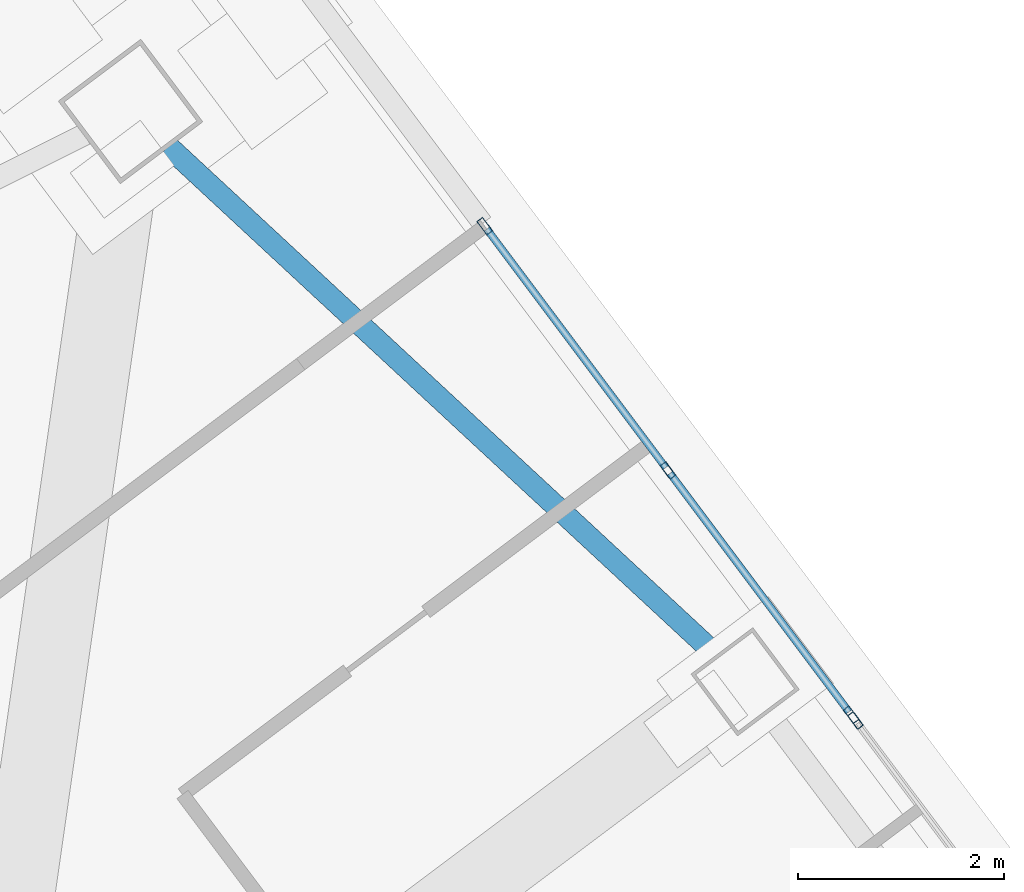
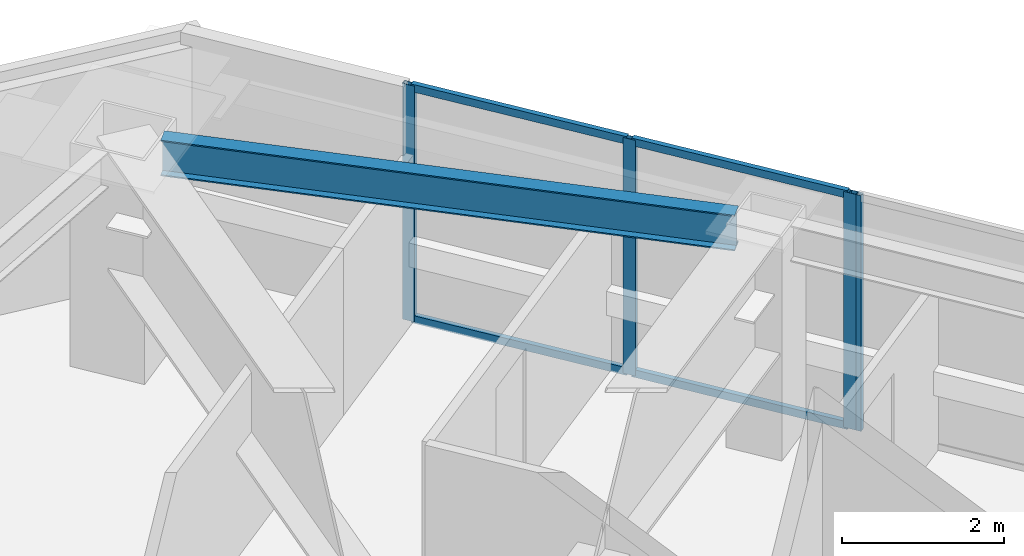
# One storey, part 27 of 40: 8 members, 1 beam, 2 elements without a shape of their own.
"""IFC4 building model written with IfcOpenShell, lengths in metres."""

from ifc_helpers import new_model, si_unit, direction, frame, origin, origin_2d, place, context, subcontext, project, spatial, hollow_rectangle, i_section, extrude, material, material_profile, profile_set, type_object, element, aggregate, save


model = new_model("IFC4")

# Units and contexts
model_context = context("Model", 3, precision=1e-05, world=origin(), true_north=direction((0.0, 1.0)))
body_context = subcontext(model_context, "Body", "Model", "MODEL_VIEW")
ifc_project = project(units=[si_unit("LENGTHUNIT", "METRE"), si_unit("AREAUNIT", "SQUARE_METRE"), si_unit("VOLUMEUNIT", "CUBIC_METRE"), si_unit("PLANEANGLEUNIT", "RADIAN"), si_unit("MASSUNIT", "GRAM", prefix="KILO")], contexts=[model_context])

# Site, building, storey
site_placement = place(None, origin())
site = spatial("IfcSite", under=ifc_project, at=site_placement, CompositionType="ELEMENT")
building_placement = place(site_placement, origin())
building = spatial("IfcBuilding", under=site, at=building_placement, Name="Tashvorn Skyway Center", CompositionType="ELEMENT")
storey_placement = place(building_placement, frame((0.0, 0.0, 229.050048828125)))
storey = spatial("IfcBuildingStorey", under=building, at=storey_placement, Name="L62", CompositionType="ELEMENT", Elevation=229.050048828125)

# Beam
ifc_material_1 = material(Name="Steel ASTM A992 Grade 50", Category="steel")
ifc_material_profile_1 = material_profile(ifc_material_1, i_section(OverallWidth=0.2109375, OverallDepth=0.5390625, WebThickness=0.01171875, FlangeThickness=0.018798828125, at=origin_2d()), Name="W21X73")
ifc_profile_set_1 = profile_set([ifc_material_profile_1], Name="Steel ASTM A992 Grade 50")
beam_type = type_object("IfcBeamType", Name="BM-SPANDREL-W21X73", PredefinedType="SPANDREL", material=ifc_profile_set_1)
beam_placement = place(storey_placement, frame((122.36865234375, 45.481689453125, 3.100341796875), z_axis=(-0.733042389989, 0.680182956622, 0.0), x_axis=(-0.680182956622, -0.733042389989, 0.0)))
element("IfcBeam", 1, at=beam_placement, inside=storey, type_object=beam_type, Name="Tower 2 L62 Spandrel Beam 06", PredefinedType="SPANDREL", context=body_context, shape_type="SweptSolid", body=[
    extrude(i_section(OverallWidth=0.2109375, OverallDepth=0.5390625, WebThickness=0.01171875, FlangeThickness=0.018798828125, at=origin_2d()), origin(), (0.0, 0.0, 1.0), 7.26513671875),
])

# Curtain wall, members
ifc_material_2 = material(Name="Thermally broken bronze-anodized aluminium 6063-T6", Category="aluminium")
curtain_wall_type = type_object("IfcCurtainWallType", Name="CW-CW-Z5", PredefinedType="NOTDEFINED", material=ifc_material_2)
curtain_wall_1_placement = place(storey_placement, origin())
curtain_wall_1 = element("IfcCurtainWall", 2, at=curtain_wall_1_placement, inside=storey, type_object=curtain_wall_type, Name="Tower 2 L62 East Unitised Curtain Wall Glazing Group 1", PredefinedType="NOTDEFINED")
ifc_material_profile_2 = material_profile(ifc_material_2, hollow_rectangle(XDim=0.070068359375, YDim=0.1650390625, WallThickness=0.00390625, at=origin_2d()), Name="ALU-MULL-70x165")
ifc_profile_set_2 = profile_set([ifc_material_profile_2], Name="Thermally broken bronze-anodized aluminium 6063-T6")
member_type_1 = type_object("IfcMemberType", Name="CWM-CW-Z5", PredefinedType="MULLION", material=ifc_profile_set_2)
member_1_placement = place(storey_placement, frame((120.1142578125, 49.647705078125, 0.0), z_axis=(0.0, 0.0, 1.0), x_axis=(0.79999799704, 0.600002670604, 0.0)))
member_1 = element("IfcMember", 3, at=member_1_placement, type_object=member_type_1, Name="CW-Z5 mullion 1", PredefinedType="MULLION", context=body_context, shape_type="SweptSolid", body=[
    extrude(hollow_rectangle(XDim=0.070068359375, YDim=0.1650390625, WallThickness=0.00390625, at=origin_2d()), origin(), (0.0, 0.0, 1.0), 3.550048828125),
])
member_2_placement = place(storey_placement, frame((121.890625, 47.279052734375, 0.0), z_axis=(0.0, 0.0, 1.0), x_axis=(0.79999799704, 0.600002670604, 0.0)))
member_2 = element("IfcMember", 4, at=member_2_placement, type_object=member_type_1, Name="CW-Z5 mullion 2", PredefinedType="MULLION", context=body_context, shape_type="SweptSolid", body=[
    extrude(hollow_rectangle(XDim=0.070068359375, YDim=0.1650390625, WallThickness=0.00390625, at=origin_2d()), origin(), (0.0, 0.0, 1.0), 3.550048828125),
])
member_3_placement = place(storey_placement, frame((123.6669921875, 44.91064453125, 0.0), z_axis=(0.0, 0.0, 1.0), x_axis=(0.79999799704, 0.600002670604, 0.0)))
member_3 = element("IfcMember", 5, at=member_3_placement, type_object=member_type_1, Name="CW-Z5 mullion 3", PredefinedType="MULLION", context=body_context, shape_type="SweptSolid", body=[
    extrude(hollow_rectangle(XDim=0.070068359375, YDim=0.1650390625, WallThickness=0.00390625, at=origin_2d()), origin(), (0.0, 0.0, 1.0), 3.550048828125),
])

# Curtain wall, member
curtain_wall_2_placement = place(storey_placement, origin())
curtain_wall_2 = element("IfcCurtainWall", 6, at=curtain_wall_2_placement, inside=storey, type_object=curtain_wall_type, Name="Tower 2 L62 East Unitised Curtain Wall Glazing Group 2", PredefinedType="NOTDEFINED")
member_4_placement = place(storey_placement, frame((123.708984375, 44.854736328125, 0.0), z_axis=(0.0, 0.0, 1.0), x_axis=(0.800002670596, 0.599996439189, 0.0)))
member_4 = element("IfcMember", 7, at=member_4_placement, type_object=member_type_1, Name="CW-Z5 mullion 1", PredefinedType="MULLION", context=body_context, shape_type="SweptSolid", body=[
    extrude(hollow_rectangle(XDim=0.070068359375, YDim=0.1650390625, WallThickness=0.00390625, at=origin_2d()), origin(), (0.0, 0.0, 1.0), 3.550048828125),
])
aggregate(curtain_wall_2, [member_4])

# Member
ifc_material_profile_3 = material_profile(ifc_material_2, hollow_rectangle(XDim=0.070068359375, YDim=0.114990234375, WallThickness=0.00390625, at=origin_2d()), Name="ALU-TRAN-70x115")
ifc_profile_set_3 = profile_set([ifc_material_profile_3], Name="Thermally broken bronze-anodized aluminium 6063-T6")
member_type_2 = type_object("IfcMemberType", Name="CWT-CW-Z5", PredefinedType="USERDEFINED", material=ifc_profile_set_3)
member_5_placement = place(storey_placement, frame((120.13525390625, 49.61962890625, 0.034912109375), z_axis=(0.6, -0.8, 0.0), x_axis=(0.8, 0.6, 0.0)))
member_5 = element("IfcMember", 8, at=member_5_placement, type_object=member_type_2, Name="CW-Z5 transom 1.1", ObjectType="TRANSOM", PredefinedType="USERDEFINED", context=body_context, shape_type="SweptSolid", body=[
    extrude(hollow_rectangle(XDim=0.070068359375, YDim=0.114990234375, WallThickness=0.00390625, at=origin_2d()), origin(), (0.0, 0.0, 1.0), 2.890625),
])

member_6_placement = place(storey_placement, frame((120.13525390625, 49.61962890625, 3.514892578125), z_axis=(0.6, -0.8, 0.0), x_axis=(0.8, 0.6, 0.0)))
member_6 = element("IfcMember", 9, at=member_6_placement, type_object=member_type_2, Name="CW-Z5 transom 1.2", ObjectType="TRANSOM", PredefinedType="USERDEFINED", context=body_context, shape_type="SweptSolid", body=[
    extrude(hollow_rectangle(XDim=0.070068359375, YDim=0.114990234375, WallThickness=0.00390625, at=origin_2d()), origin(), (0.0, 0.0, 1.0), 2.890625),
])

member_7_placement = place(storey_placement, frame((121.91162109375, 47.251220703125, 0.034912109375), z_axis=(0.6, -0.8, 0.0), x_axis=(0.8, 0.6, 0.0)))
member_7 = element("IfcMember", 10, at=member_7_placement, type_object=member_type_2, Name="CW-Z5 transom 2.1", ObjectType="TRANSOM", PredefinedType="USERDEFINED", context=body_context, shape_type="SweptSolid", body=[
    extrude(hollow_rectangle(XDim=0.070068359375, YDim=0.114990234375, WallThickness=0.00390625, at=origin_2d()), origin(), (0.0, 0.0, 1.0), 2.890625),
])

member_8_placement = place(storey_placement, frame((121.91162109375, 47.251220703125, 3.514892578125), z_axis=(0.6, -0.8, 0.0), x_axis=(0.8, 0.6, 0.0)))
member_8 = element("IfcMember", 11, at=member_8_placement, type_object=member_type_2, Name="CW-Z5 transom 2.2", ObjectType="TRANSOM", PredefinedType="USERDEFINED", context=body_context, shape_type="SweptSolid", body=[
    extrude(hollow_rectangle(XDim=0.070068359375, YDim=0.114990234375, WallThickness=0.00390625, at=origin_2d()), origin(), (0.0, 0.0, 1.0), 2.890625),
])

aggregate(curtain_wall_1, [member_1, member_2, member_3, member_5, member_6, member_7, member_8])

save(model, "model.ifc")
